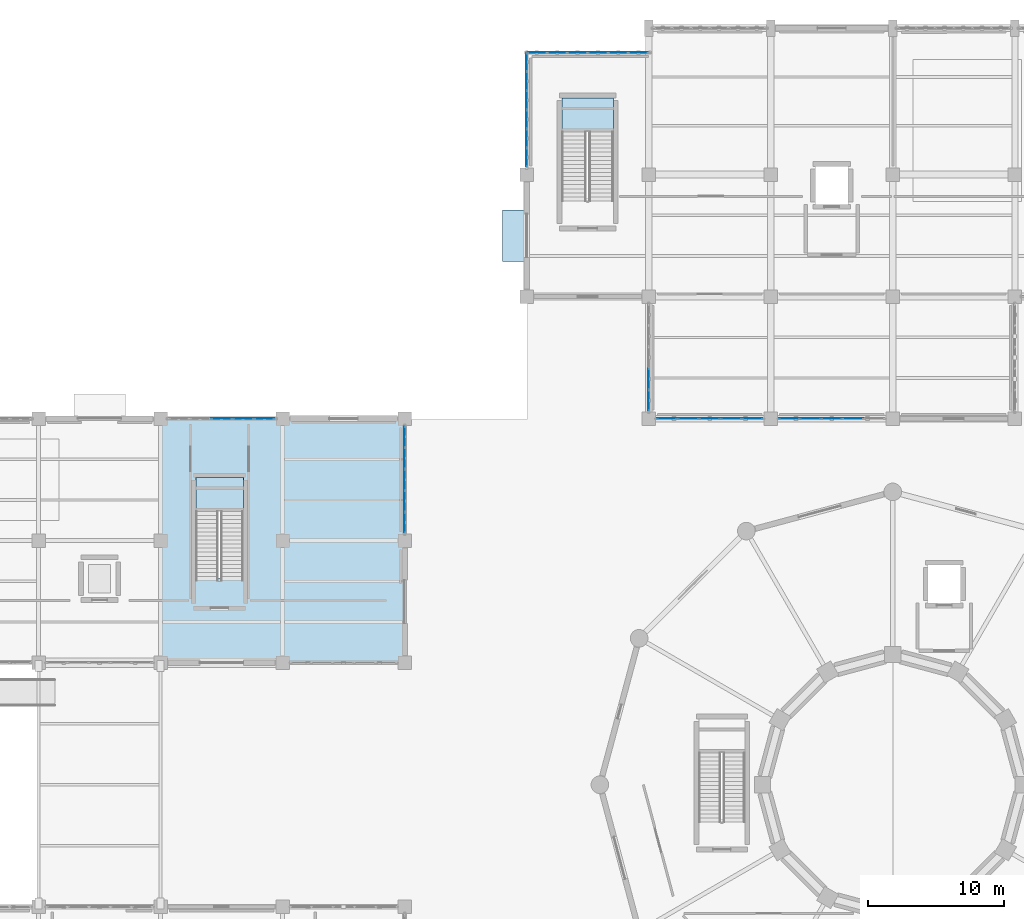
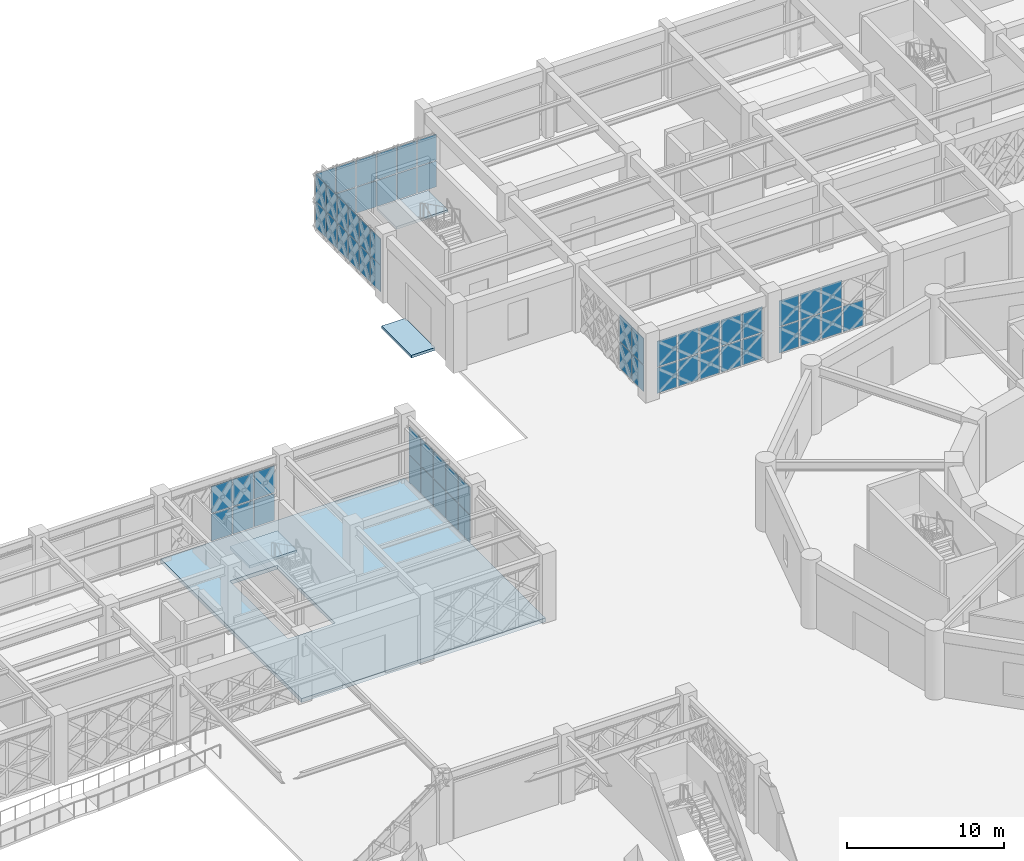
# One storey, part 107 of 140: 61 plates, 4 slabs, 9 elements without a shape of their own.
"""IFC4 building model written with IfcOpenShell, lengths in metres."""

from ifc_helpers import new_model, si_unit, direction, frame, origin, origin_2d, place, context, subcontext, project, spatial, polyline, rectangle, outline, extrude, material, layer, layer_set, type_object, element, aggregate, save


model = new_model("IFC4")

# Units and contexts
model_context = context("Model", 3, precision=1e-05, world=origin(), true_north=direction((0.0, 1.0)))
body_context = subcontext(model_context, "Body", "Model", "MODEL_VIEW")
ifc_project = project(units=[si_unit("LENGTHUNIT", "METRE"), si_unit("AREAUNIT", "SQUARE_METRE"), si_unit("VOLUMEUNIT", "CUBIC_METRE"), si_unit("PLANEANGLEUNIT", "RADIAN"), si_unit("MASSUNIT", "GRAM", prefix="KILO")], contexts=[model_context])

# Site, building, storey
site_placement = place(None, origin())
site = spatial("IfcSite", under=ifc_project, at=site_placement, CompositionType="ELEMENT")
building_placement = place(site_placement, origin())
building = spatial("IfcBuilding", under=site, at=building_placement, Name="Haizhuo Lancet Aquarium", CompositionType="ELEMENT")
storey_placement = place(building_placement, origin())
storey = spatial("IfcBuildingStorey", under=building, at=storey_placement, Name="L00", CompositionType="ELEMENT", Elevation=0.0)

# Curtain wall, plates
ifc_material_1 = material(Name="Aluminium 6063-T6", Category="aluminium")
curtain_wall_type_1 = type_object("IfcCurtainWallType", Name="CWO-7910x4220", PredefinedType="NOTDEFINED", material=ifc_material_1)
curtain_wall_1_placement = place(storey_placement, origin())
curtain_wall_1 = element("IfcCurtainWall", 1, at=curtain_wall_1_placement, inside=storey, type_object=curtain_wall_type_1, Name="L00 curtain wall CW-V5-L00-125", PredefinedType="NOTDEFINED")
ifc_material_2 = material(Name="Laminated Low-E Glass", Category="glass")
ifc_layer_1 = layer(ifc_material_2, 0.028076171875)
ifc_layer_set_1 = layer_set([ifc_layer_1], Name="Laminated Low-E Glass")
plate_type_1 = type_object("IfcPlateType", Name="CW-PNL-1", PredefinedType="CURTAIN_PANEL", material=ifc_layer_set_1)
plate_1_placement = place(storey_placement, frame((-2.91796875, 27.0, 0.075439453125), z_axis=(0.0, 0.0, 1.0), x_axis=(-1.0, 0.0, 0.0)))
plate_1 = element("IfcPlate", 2, at=plate_1_placement, type_object=plate_type_1, Name="CWO-79x42 panel 2.1", PredefinedType="CURTAIN_PANEL", context=body_context, shape_type="SweptSolid", body=[
    extrude(rectangle(XDim=1.507080078125, YDim=0.028076171875, at=origin_2d()), origin(), (0.0, 0.0, 1.0), 1.9970703125),
])
plate_2_placement = place(storey_placement, frame((-4.5, 27.0, 0.075439453125), z_axis=(0.0, 0.0, 1.0), x_axis=(-1.0, 0.0, 0.0)))
plate_2 = element("IfcPlate", 3, at=plate_2_placement, type_object=plate_type_1, Name="CWO-79x42 panel 3.1", PredefinedType="CURTAIN_PANEL", context=body_context, shape_type="SweptSolid", body=[
    extrude(rectangle(XDim=1.507080078125, YDim=0.028076171875, at=origin_2d()), origin(), (0.0, 0.0, 1.0), 1.9970703125),
])
plate_3_placement = place(storey_placement, frame((-4.5, 27.0, 2.14697265625), z_axis=(0.0, 0.0, 1.0), x_axis=(-1.0, 0.0, 0.0)))
plate_3 = element("IfcPlate", 4, at=plate_3_placement, type_object=plate_type_1, Name="CWO-79x42 panel 3.2", PredefinedType="CURTAIN_PANEL", context=body_context, shape_type="SweptSolid", body=[
    extrude(rectangle(XDim=1.507080078125, YDim=0.028076171875, at=origin_2d()), origin(), (0.0, 0.0, 1.0), 1.998046875),
])
plate_4_placement = place(storey_placement, frame((-6.08203125, 27.0, 0.075439453125), z_axis=(0.0, 0.0, 1.0), x_axis=(-1.0, 0.0, 0.0)))
plate_4 = element("IfcPlate", 5, at=plate_4_placement, type_object=plate_type_1, Name="CWO-79x42 panel 4.1", PredefinedType="CURTAIN_PANEL", context=body_context, shape_type="SweptSolid", body=[
    extrude(rectangle(XDim=1.507080078125, YDim=0.028076171875, at=origin_2d()), origin(), (0.0, 0.0, 1.0), 1.9970703125),
])
plate_5_placement = place(storey_placement, frame((-6.08203125, 27.0, 2.14697265625), z_axis=(0.0, 0.0, 1.0), x_axis=(-1.0, 0.0, 0.0)))
plate_5 = element("IfcPlate", 6, at=plate_5_placement, type_object=plate_type_1, Name="CWO-79x42 panel 4.2", PredefinedType="CURTAIN_PANEL", context=body_context, shape_type="SweptSolid", body=[
    extrude(rectangle(XDim=1.507080078125, YDim=0.028076171875, at=origin_2d()), origin(), (0.0, 0.0, 1.0), 1.998046875),
])
plate_6_placement = place(storey_placement, frame((-7.64501953125, 27.0, 0.075439453125), z_axis=(0.0, 0.0, 1.0), x_axis=(-1.0, 0.0, 0.0)))
plate_6 = element("IfcPlate", 7, at=plate_6_placement, type_object=plate_type_1, Name="CWO-79x42 panel 5.1", PredefinedType="CURTAIN_PANEL", context=body_context, shape_type="SweptSolid", body=[
    extrude(rectangle(XDim=1.469970703125, YDim=0.028076171875, at=origin_2d()), origin(), (0.0, 0.0, 1.0), 1.9970703125),
])
plate_7_placement = place(storey_placement, frame((-7.64501953125, 27.0, 2.14697265625), z_axis=(0.0, 0.0, 1.0), x_axis=(-1.0, 0.0, 0.0)))
plate_7 = element("IfcPlate", 8, at=plate_7_placement, type_object=plate_type_1, Name="CWO-79x42 panel 5.2", PredefinedType="CURTAIN_PANEL", context=body_context, shape_type="SweptSolid", body=[
    extrude(rectangle(XDim=1.469970703125, YDim=0.028076171875, at=origin_2d()), origin(), (0.0, 0.0, 1.0), 1.998046875),
])
aggregate(curtain_wall_1, [plate_1, plate_2, plate_3, plate_4, plate_5, plate_6, plate_7])

curtain_wall_2_placement = place(storey_placement, origin())
curtain_wall_2 = element("IfcCurtainWall", 9, at=curtain_wall_2_placement, inside=storey, type_object=curtain_wall_type_1, Name="L00 curtain wall CW-V5-L00-126", PredefinedType="NOTDEFINED")
ifc_layer_2 = layer(ifc_material_2, 0.033935546875)
ifc_layer_set_2 = layer_set([ifc_layer_2], Name="Laminated Low-E Glass")
plate_type_2 = type_object("IfcPlateType", Name="CW-PNL-2", PredefinedType="CURTAIN_PANEL", material=ifc_layer_set_2)
plate_8_placement = place(storey_placement, frame((-10.35595703125, 27.0, 0.080078125), z_axis=(0.0, 0.0, 1.0), x_axis=(-1.0, 0.0, 0.0)))
plate_8 = element("IfcPlate", 10, at=plate_8_placement, type_object=plate_type_2, Name="CWO-79x42 panel 1.1", PredefinedType="CURTAIN_PANEL", context=body_context, shape_type="SweptSolid", body=[
    extrude(rectangle(XDim=1.4619140625, YDim=0.033935546875, at=origin_2d()), origin(), (0.0, 0.0, 1.0), 1.989990234375),
])
plate_9_placement = place(storey_placement, frame((-10.35595703125, 27.0, 2.14990234375), z_axis=(0.0, 0.0, 1.0), x_axis=(-1.0, 0.0, 0.0)))
plate_9 = element("IfcPlate", 11, at=plate_9_placement, type_object=plate_type_2, Name="CWO-79x42 panel 1.2", PredefinedType="CURTAIN_PANEL", context=body_context, shape_type="SweptSolid", body=[
    extrude(rectangle(XDim=1.4619140625, YDim=0.033935546875, at=origin_2d()), origin(), (0.0, 0.0, 1.0), 1.989990234375),
])
plate_10_placement = place(storey_placement, frame((-11.91796875, 27.0, 0.080078125), z_axis=(0.0, 0.0, 1.0), x_axis=(-1.0, 0.0, 0.0)))
plate_10 = element("IfcPlate", 12, at=plate_10_placement, type_object=plate_type_2, Name="CWO-79x42 panel 2.1", PredefinedType="CURTAIN_PANEL", context=body_context, shape_type="SweptSolid", body=[
    extrude(rectangle(XDim=1.501953125, YDim=0.033935546875, at=origin_2d()), origin(), (0.0, 0.0, 1.0), 1.989990234375),
])
plate_11_placement = place(storey_placement, frame((-11.91796875, 27.0, 2.14990234375), z_axis=(0.0, 0.0, 1.0), x_axis=(-1.0, 0.0, 0.0)))
plate_11 = element("IfcPlate", 13, at=plate_11_placement, type_object=plate_type_2, Name="CWO-79x42 panel 2.2", PredefinedType="CURTAIN_PANEL", context=body_context, shape_type="SweptSolid", body=[
    extrude(rectangle(XDim=1.501953125, YDim=0.033935546875, at=origin_2d()), origin(), (0.0, 0.0, 1.0), 1.989990234375),
])
plate_12_placement = place(storey_placement, frame((-13.5, 27.0, 0.080078125), z_axis=(0.0, 0.0, 1.0), x_axis=(-1.0, 0.0, 0.0)))
plate_12 = element("IfcPlate", 14, at=plate_12_placement, type_object=plate_type_2, Name="CWO-79x42 panel 3.1", PredefinedType="CURTAIN_PANEL", context=body_context, shape_type="SweptSolid", body=[
    extrude(rectangle(XDim=1.501953125, YDim=0.033935546875, at=origin_2d()), origin(), (0.0, 0.0, 1.0), 1.989990234375),
])
plate_13_placement = place(storey_placement, frame((-13.5, 27.0, 2.14990234375), z_axis=(0.0, 0.0, 1.0), x_axis=(-1.0, 0.0, 0.0)))
plate_13 = element("IfcPlate", 15, at=plate_13_placement, type_object=plate_type_2, Name="CWO-79x42 panel 3.2", PredefinedType="CURTAIN_PANEL", context=body_context, shape_type="SweptSolid", body=[
    extrude(rectangle(XDim=1.501953125, YDim=0.033935546875, at=origin_2d()), origin(), (0.0, 0.0, 1.0), 1.989990234375),
])
plate_14_placement = place(storey_placement, frame((-15.08203125, 27.0, 0.080078125), z_axis=(0.0, 0.0, 1.0), x_axis=(-1.0, 0.0, 0.0)))
plate_14 = element("IfcPlate", 16, at=plate_14_placement, type_object=plate_type_2, Name="CWO-79x42 panel 4.1", PredefinedType="CURTAIN_PANEL", context=body_context, shape_type="SweptSolid", body=[
    extrude(rectangle(XDim=1.501953125, YDim=0.033935546875, at=origin_2d()), origin(), (0.0, 0.0, 1.0), 1.989990234375),
])
plate_15_placement = place(storey_placement, frame((-15.08203125, 27.0, 2.14990234375), z_axis=(0.0, 0.0, 1.0), x_axis=(-1.0, 0.0, 0.0)))
plate_15 = element("IfcPlate", 17, at=plate_15_placement, type_object=plate_type_2, Name="CWO-79x42 panel 4.2", PredefinedType="CURTAIN_PANEL", context=body_context, shape_type="SweptSolid", body=[
    extrude(rectangle(XDim=1.501953125, YDim=0.033935546875, at=origin_2d()), origin(), (0.0, 0.0, 1.0), 1.989990234375),
])
plate_16_placement = place(storey_placement, frame((-16.64404296875, 27.0, 0.080078125), z_axis=(0.0, 0.0, 1.0), x_axis=(-1.0, 0.0, 0.0)))
plate_16 = element("IfcPlate", 18, at=plate_16_placement, type_object=plate_type_2, Name="CWO-79x42 panel 5.1", PredefinedType="CURTAIN_PANEL", context=body_context, shape_type="SweptSolid", body=[
    extrude(rectangle(XDim=1.4619140625, YDim=0.033935546875, at=origin_2d()), origin(), (0.0, 0.0, 1.0), 1.989990234375),
])
plate_17_placement = place(storey_placement, frame((-16.64404296875, 27.0, 2.14990234375), z_axis=(0.0, 0.0, 1.0), x_axis=(-1.0, 0.0, 0.0)))
plate_17 = element("IfcPlate", 19, at=plate_17_placement, type_object=plate_type_2, Name="CWO-79x42 panel 5.2", PredefinedType="CURTAIN_PANEL", context=body_context, shape_type="SweptSolid", body=[
    extrude(rectangle(XDim=1.4619140625, YDim=0.033935546875, at=origin_2d()), origin(), (0.0, 0.0, 1.0), 1.989990234375),
])
aggregate(curtain_wall_2, [plate_8, plate_9, plate_10, plate_11, plate_12, plate_13, plate_14, plate_15, plate_16, plate_17])

curtain_wall_type_2 = type_object("IfcCurtainWallType", Name="CWD-7910x4420", PredefinedType="NOTDEFINED", material=ifc_material_1)
curtain_wall_3_placement = place(storey_placement, origin())
curtain_wall_3 = element("IfcCurtainWall", 20, at=curtain_wall_3_placement, inside=storey, type_object=curtain_wall_type_2, Name="L00 curtain wall CW-V2-L00-015", PredefinedType="NOTDEFINED")
ifc_layer_3 = layer(ifc_material_2, 0.0419921875)
ifc_layer_set_3 = layer_set([ifc_layer_3], Name="Laminated Low-E Glass")
plate_type_3 = type_object("IfcPlateType", Name="CW-PNL-3", PredefinedType="CURTAIN_PANEL", material=ifc_layer_set_3)
plate_18_placement = place(storey_placement, frame((-49.5, 27.0, 0.080078125), z_axis=(0.0, 0.0, 1.0), x_axis=(1.0, 0.0, 0.0)))
plate_18 = element("IfcPlate", 21, at=plate_18_placement, type_object=plate_type_3, Name="CWD-79x44 panel 3.1", PredefinedType="CURTAIN_PANEL", context=body_context, shape_type="SweptSolid", body=[
    extrude(rectangle(XDim=1.501953125, YDim=0.0419921875, at=origin_2d()), origin(), (0.0, 0.0, 1.0), 2.090087890625),
])
plate_19_placement = place(storey_placement, frame((-49.5, 27.0, 2.25), z_axis=(0.0, 0.0, 1.0), x_axis=(1.0, 0.0, 0.0)))
plate_19 = element("IfcPlate", 22, at=plate_19_placement, type_object=plate_type_3, Name="CWD-79x44 panel 3.2", PredefinedType="CURTAIN_PANEL", context=body_context, shape_type="SweptSolid", body=[
    extrude(rectangle(XDim=1.501953125, YDim=0.0419921875, at=origin_2d()), origin(), (0.0, 0.0, 1.0), 2.090087890625),
])
plate_20_placement = place(storey_placement, frame((-47.91796875, 27.0, 0.080078125), z_axis=(0.0, 0.0, 1.0), x_axis=(1.0, 0.0, 0.0)))
plate_20 = element("IfcPlate", 23, at=plate_20_placement, type_object=plate_type_3, Name="CWD-79x44 panel 4.1", PredefinedType="CURTAIN_PANEL", context=body_context, shape_type="SweptSolid", body=[
    extrude(rectangle(XDim=1.501953125, YDim=0.0419921875, at=origin_2d()), origin(), (0.0, 0.0, 1.0), 2.090087890625),
])
plate_21_placement = place(storey_placement, frame((-47.91796875, 27.0, 2.25), z_axis=(0.0, 0.0, 1.0), x_axis=(1.0, 0.0, 0.0)))
plate_21 = element("IfcPlate", 24, at=plate_21_placement, type_object=plate_type_3, Name="CWD-79x44 panel 4.2", PredefinedType="CURTAIN_PANEL", context=body_context, shape_type="SweptSolid", body=[
    extrude(rectangle(XDim=1.501953125, YDim=0.0419921875, at=origin_2d()), origin(), (0.0, 0.0, 1.0), 2.090087890625),
])
plate_22_placement = place(storey_placement, frame((-46.35595703125, 27.0, 0.080078125), z_axis=(0.0, 0.0, 1.0), x_axis=(1.0, 0.0, 0.0)))
plate_22 = element("IfcPlate", 25, at=plate_22_placement, type_object=plate_type_3, Name="CWD-79x44 panel 5.1", PredefinedType="CURTAIN_PANEL", context=body_context, shape_type="SweptSolid", body=[
    extrude(rectangle(XDim=1.4619140625, YDim=0.0419921875, at=origin_2d()), origin(), (0.0, 0.0, 1.0), 2.090087890625),
])
plate_23_placement = place(storey_placement, frame((-46.35595703125, 27.0, 2.25), z_axis=(0.0, 0.0, 1.0), x_axis=(1.0, 0.0, 0.0)))
plate_23 = element("IfcPlate", 26, at=plate_23_placement, type_object=plate_type_3, Name="CWD-79x44 panel 5.2", PredefinedType="CURTAIN_PANEL", context=body_context, shape_type="SweptSolid", body=[
    extrude(rectangle(XDim=1.4619140625, YDim=0.0419921875, at=origin_2d()), origin(), (0.0, 0.0, 1.0), 2.090087890625),
])
aggregate(curtain_wall_3, [plate_18, plate_19, plate_20, plate_21, plate_22, plate_23])

curtain_wall_type_3 = type_object("IfcCurtainWallType", Name="CWD-8460x4260", PredefinedType="NOTDEFINED", material=ifc_material_1)
curtain_wall_4_placement = place(storey_placement, origin())
curtain_wall_4 = element("IfcCurtainWall", 27, at=curtain_wall_4_placement, inside=storey, type_object=curtain_wall_type_3, Name="L00 curtain wall CW-V5-L00-115", PredefinedType="NOTDEFINED")
plate_24_placement = place(storey_placement, frame((-27.0, 46.26611328125, 0.0654296875), z_axis=(0.0, 0.0, 1.0), x_axis=(0.0, 1.0, 0.0)))
plate_24 = element("IfcPlate", 28, at=plate_24_placement, type_object=plate_type_3, Name="CWD-84x42 panel 1.1", PredefinedType="CURTAIN_PANEL", context=body_context, shape_type="SweptSolid", body=[
    extrude(rectangle(XDim=1.31201171875, YDim=0.0419921875, at=origin_2d()), origin(), (0.0, 0.0, 1.0), 2.029052734375),
])
plate_25_placement = place(storey_placement, frame((-27.0, 46.26611328125, 2.15966796875), z_axis=(0.0, 0.0, 1.0), x_axis=(0.0, 1.0, 0.0)))
plate_25 = element("IfcPlate", 29, at=plate_25_placement, type_object=plate_type_3, Name="CWD-84x42 panel 1.2", PredefinedType="CURTAIN_PANEL", context=body_context, shape_type="SweptSolid", body=[
    extrude(rectangle(XDim=1.31201171875, YDim=0.0419921875, at=origin_2d()), origin(), (0.0, 0.0, 1.0), 2.031005859375),
])
plate_26_placement = place(storey_placement, frame((-27.0, 47.658935546875, 0.0654296875), z_axis=(0.0, 0.0, 1.0), x_axis=(0.0, 1.0, 0.0)))
plate_26 = element("IfcPlate", 30, at=plate_26_placement, type_object=plate_type_3, Name="CWD-84x42 panel 2.1", PredefinedType="CURTAIN_PANEL", context=body_context, shape_type="SweptSolid", body=[
    extrude(rectangle(XDim=1.343994140625, YDim=0.0419921875, at=origin_2d()), origin(), (0.0, 0.0, 1.0), 2.029052734375),
])
plate_27_placement = place(storey_placement, frame((-27.0, 47.658935546875, 2.15966796875), z_axis=(0.0, 0.0, 1.0), x_axis=(0.0, 1.0, 0.0)))
plate_27 = element("IfcPlate", 31, at=plate_27_placement, type_object=plate_type_3, Name="CWD-84x42 panel 2.2", PredefinedType="CURTAIN_PANEL", context=body_context, shape_type="SweptSolid", body=[
    extrude(rectangle(XDim=1.343994140625, YDim=0.0419921875, at=origin_2d()), origin(), (0.0, 0.0, 1.0), 2.031005859375),
])
plate_28_placement = place(storey_placement, frame((-27.0, 49.068115234375, 0.0654296875), z_axis=(0.0, 0.0, 1.0), x_axis=(0.0, 1.0, 0.0)))
plate_28 = element("IfcPlate", 32, at=plate_28_placement, type_object=plate_type_3, Name="CWD-84x42 panel 3.1", PredefinedType="CURTAIN_PANEL", context=body_context, shape_type="SweptSolid", body=[
    extrude(rectangle(XDim=1.343994140625, YDim=0.0419921875, at=origin_2d()), origin(), (0.0, 0.0, 1.0), 2.029052734375),
])
plate_29_placement = place(storey_placement, frame((-27.0, 49.068115234375, 2.15966796875), z_axis=(0.0, 0.0, 1.0), x_axis=(0.0, 1.0, 0.0)))
plate_29 = element("IfcPlate", 33, at=plate_29_placement, type_object=plate_type_3, Name="CWD-84x42 panel 3.2", PredefinedType="CURTAIN_PANEL", context=body_context, shape_type="SweptSolid", body=[
    extrude(rectangle(XDim=1.343994140625, YDim=0.0419921875, at=origin_2d()), origin(), (0.0, 0.0, 1.0), 2.031005859375),
])
plate_30_placement = place(storey_placement, frame((-27.0, 50.47705078125, 0.0654296875), z_axis=(0.0, 0.0, 1.0), x_axis=(0.0, 1.0, 0.0)))
plate_30 = element("IfcPlate", 34, at=plate_30_placement, type_object=plate_type_3, Name="CWD-84x42 panel 4.1", PredefinedType="CURTAIN_PANEL", context=body_context, shape_type="SweptSolid", body=[
    extrude(rectangle(XDim=1.343994140625, YDim=0.0419921875, at=origin_2d()), origin(), (0.0, 0.0, 1.0), 2.029052734375),
])
plate_31_placement = place(storey_placement, frame((-27.0, 50.47705078125, 2.15966796875), z_axis=(0.0, 0.0, 1.0), x_axis=(0.0, 1.0, 0.0)))
plate_31 = element("IfcPlate", 35, at=plate_31_placement, type_object=plate_type_3, Name="CWD-84x42 panel 4.2", PredefinedType="CURTAIN_PANEL", context=body_context, shape_type="SweptSolid", body=[
    extrude(rectangle(XDim=1.343994140625, YDim=0.0419921875, at=origin_2d()), origin(), (0.0, 0.0, 1.0), 2.031005859375),
])
plate_32_placement = place(storey_placement, frame((-27.0, 51.885986328125, 0.0654296875), z_axis=(0.0, 0.0, 1.0), x_axis=(0.0, 1.0, 0.0)))
plate_32 = element("IfcPlate", 36, at=plate_32_placement, type_object=plate_type_3, Name="CWD-84x42 panel 5.1", PredefinedType="CURTAIN_PANEL", context=body_context, shape_type="SweptSolid", body=[
    extrude(rectangle(XDim=1.343994140625, YDim=0.0419921875, at=origin_2d()), origin(), (0.0, 0.0, 1.0), 2.029052734375),
])
plate_33_placement = place(storey_placement, frame((-27.0, 51.885986328125, 2.15966796875), z_axis=(0.0, 0.0, 1.0), x_axis=(0.0, 1.0, 0.0)))
plate_33 = element("IfcPlate", 37, at=plate_33_placement, type_object=plate_type_3, Name="CWD-84x42 panel 5.2", PredefinedType="CURTAIN_PANEL", context=body_context, shape_type="SweptSolid", body=[
    extrude(rectangle(XDim=1.343994140625, YDim=0.0419921875, at=origin_2d()), origin(), (0.0, 0.0, 1.0), 2.031005859375),
])
plate_34_placement = place(storey_placement, frame((-27.0, 53.279052734375, 0.0654296875), z_axis=(0.0, 0.0, 1.0), x_axis=(0.0, 1.0, 0.0)))
plate_34 = element("IfcPlate", 38, at=plate_34_placement, type_object=plate_type_3, Name="CWD-84x42 panel 6.1", PredefinedType="CURTAIN_PANEL", context=body_context, shape_type="SweptSolid", body=[
    extrude(rectangle(XDim=1.31201171875, YDim=0.0419921875, at=origin_2d()), origin(), (0.0, 0.0, 1.0), 2.029052734375),
])
plate_35_placement = place(storey_placement, frame((-27.0, 53.279052734375, 2.15966796875), z_axis=(0.0, 0.0, 1.0), x_axis=(0.0, 1.0, 0.0)))
plate_35 = element("IfcPlate", 39, at=plate_35_placement, type_object=plate_type_3, Name="CWD-84x42 panel 6.2", PredefinedType="CURTAIN_PANEL", context=body_context, shape_type="SweptSolid", body=[
    extrude(rectangle(XDim=1.31201171875, YDim=0.0419921875, at=origin_2d()), origin(), (0.0, 0.0, 1.0), 2.031005859375),
])
aggregate(curtain_wall_4, [plate_24, plate_25, plate_26, plate_27, plate_28, plate_29, plate_30, plate_31, plate_32, plate_33, plate_34, plate_35])

curtain_wall_type_4 = type_object("IfcCurtainWallType", Name="CWD-7910x4270", PredefinedType="NOTDEFINED", material=ifc_material_1)
curtain_wall_5_placement = place(storey_placement, origin())
curtain_wall_5 = element("IfcCurtainWall", 40, at=curtain_wall_5_placement, inside=storey, type_object=curtain_wall_type_4, Name="L00 curtain wall CW-V5-L00-127", PredefinedType="NOTDEFINED")
plate_36_placement = place(storey_placement, frame((-18.0, 28.35205078125, 0.0654296875), z_axis=(0.0, 0.0, 1.0), x_axis=(0.0, 1.0, 0.0)))
plate_36 = element("IfcPlate", 41, at=plate_36_placement, type_object=plate_type_3, Name="CWD-79x42 panel 1.1", PredefinedType="CURTAIN_PANEL", context=body_context, shape_type="SweptSolid", body=[
    extrude(rectangle(XDim=1.48388671875, YDim=0.0419921875, at=origin_2d()), origin(), (0.0, 0.0, 1.0), 2.037109375),
])
plate_37_placement = place(storey_placement, frame((-18.0, 28.35205078125, 2.1669921875), z_axis=(0.0, 0.0, 1.0), x_axis=(0.0, 1.0, 0.0)))
plate_37 = element("IfcPlate", 42, at=plate_37_placement, type_object=plate_type_3, Name="CWD-79x42 panel 1.2", PredefinedType="CURTAIN_PANEL", context=body_context, shape_type="SweptSolid", body=[
    extrude(rectangle(XDim=1.48388671875, YDim=0.0419921875, at=origin_2d()), origin(), (0.0, 0.0, 1.0), 2.0380859375),
])
plate_38_placement = place(storey_placement, frame((-18.0, 29.91796875, 0.0654296875), z_axis=(0.0, 0.0, 1.0), x_axis=(0.0, 1.0, 0.0)))
plate_38 = element("IfcPlate", 43, at=plate_38_placement, type_object=plate_type_3, Name="CWD-79x42 panel 2.1", PredefinedType="CURTAIN_PANEL", context=body_context, shape_type="SweptSolid", body=[
    extrude(rectangle(XDim=1.51708984375, YDim=0.0419921875, at=origin_2d()), origin(), (0.0, 0.0, 1.0), 2.037109375),
])
plate_39_placement = place(storey_placement, frame((-18.0, 29.91796875, 2.1669921875), z_axis=(0.0, 0.0, 1.0), x_axis=(0.0, 1.0, 0.0)))
plate_39 = element("IfcPlate", 44, at=plate_39_placement, type_object=plate_type_3, Name="CWD-79x42 panel 2.2", PredefinedType="CURTAIN_PANEL", context=body_context, shape_type="SweptSolid", body=[
    extrude(rectangle(XDim=1.51708984375, YDim=0.0419921875, at=origin_2d()), origin(), (0.0, 0.0, 1.0), 2.0380859375),
])
aggregate(curtain_wall_5, [plate_36, plate_37, plate_38, plate_39])

curtain_wall_6_placement = place(storey_placement, origin())
curtain_wall_6 = element("IfcCurtainWall", 45, at=curtain_wall_6_placement, inside=storey, type_object=curtain_wall_type_2, Name="L00 curtain wall CW-V2-L00-016", PredefinedType="NOTDEFINED")
ifc_layer_4 = layer(ifc_material_2, 0.052001953125)
ifc_layer_set_4 = layer_set([ifc_layer_4], Name="Laminated Low-E Glass")
plate_type_4 = type_object("IfcPlateType", Name="CW-PNL-4", PredefinedType="CURTAIN_PANEL", material=ifc_layer_set_4)
plate_40_placement = place(storey_placement, frame((-36.0, 25.64794921875, 0.06494140625), z_axis=(0.0, 0.0, 1.0), x_axis=(0.0, -1.0, 0.0)))
plate_40 = element("IfcPlate", 46, at=plate_40_placement, type_object=plate_type_4, Name="CWD-79x44 panel 1.1", PredefinedType="CURTAIN_PANEL", context=body_context, shape_type="SweptSolid", body=[
    extrude(rectangle(XDim=1.48388671875, YDim=0.052001953125, at=origin_2d()), origin(), (0.0, 0.0, 1.0), 2.112060546875),
])
plate_41_placement = place(storey_placement, frame((-36.0, 25.64794921875, 2.24267578125), z_axis=(0.0, 0.0, 1.0), x_axis=(0.0, -1.0, 0.0)))
plate_41 = element("IfcPlate", 47, at=plate_41_placement, type_object=plate_type_4, Name="CWD-79x44 panel 1.2", PredefinedType="CURTAIN_PANEL", context=body_context, shape_type="SweptSolid", body=[
    extrude(rectangle(XDim=1.48388671875, YDim=0.052001953125, at=origin_2d()), origin(), (0.0, 0.0, 1.0), 2.113037109375),
])
plate_42_placement = place(storey_placement, frame((-36.0, 24.08203125, 0.06494140625), z_axis=(0.0, 0.0, 1.0), x_axis=(0.0, -1.0, 0.0)))
plate_42 = element("IfcPlate", 48, at=plate_42_placement, type_object=plate_type_4, Name="CWD-79x44 panel 2.1", PredefinedType="CURTAIN_PANEL", context=body_context, shape_type="SweptSolid", body=[
    extrude(rectangle(XDim=1.51708984375, YDim=0.052001953125, at=origin_2d()), origin(), (0.0, 0.0, 1.0), 2.112060546875),
])
plate_43_placement = place(storey_placement, frame((-36.0, 24.08203125, 2.24267578125), z_axis=(0.0, 0.0, 1.0), x_axis=(0.0, -1.0, 0.0)))
plate_43 = element("IfcPlate", 49, at=plate_43_placement, type_object=plate_type_4, Name="CWD-79x44 panel 2.2", PredefinedType="CURTAIN_PANEL", context=body_context, shape_type="SweptSolid", body=[
    extrude(rectangle(XDim=1.51708984375, YDim=0.052001953125, at=origin_2d()), origin(), (0.0, 0.0, 1.0), 2.113037109375),
])
plate_44_placement = place(storey_placement, frame((-36.0, 22.5, 0.06494140625), z_axis=(0.0, 0.0, 1.0), x_axis=(0.0, -1.0, 0.0)))
plate_44 = element("IfcPlate", 50, at=plate_44_placement, type_object=plate_type_4, Name="CWD-79x44 panel 3.1", PredefinedType="CURTAIN_PANEL", context=body_context, shape_type="SweptSolid", body=[
    extrude(rectangle(XDim=1.51708984375, YDim=0.052001953125, at=origin_2d()), origin(), (0.0, 0.0, 1.0), 2.112060546875),
])
plate_45_placement = place(storey_placement, frame((-36.0, 22.5, 2.24267578125), z_axis=(0.0, 0.0, 1.0), x_axis=(0.0, -1.0, 0.0)))
plate_45 = element("IfcPlate", 51, at=plate_45_placement, type_object=plate_type_4, Name="CWD-79x44 panel 3.2", PredefinedType="CURTAIN_PANEL", context=body_context, shape_type="SweptSolid", body=[
    extrude(rectangle(XDim=1.51708984375, YDim=0.052001953125, at=origin_2d()), origin(), (0.0, 0.0, 1.0), 2.113037109375),
])
plate_46_placement = place(storey_placement, frame((-36.0, 20.91796875, 0.06494140625), z_axis=(0.0, 0.0, 1.0), x_axis=(0.0, -1.0, 0.0)))
plate_46 = element("IfcPlate", 52, at=plate_46_placement, type_object=plate_type_4, Name="CWD-79x44 panel 4.1", PredefinedType="CURTAIN_PANEL", context=body_context, shape_type="SweptSolid", body=[
    extrude(rectangle(XDim=1.51708984375, YDim=0.052001953125, at=origin_2d()), origin(), (0.0, 0.0, 1.0), 2.112060546875),
])
plate_47_placement = place(storey_placement, frame((-36.0, 20.91796875, 2.24267578125), z_axis=(0.0, 0.0, 1.0), x_axis=(0.0, -1.0, 0.0)))
plate_47 = element("IfcPlate", 53, at=plate_47_placement, type_object=plate_type_4, Name="CWD-79x44 panel 4.2", PredefinedType="CURTAIN_PANEL", context=body_context, shape_type="SweptSolid", body=[
    extrude(rectangle(XDim=1.51708984375, YDim=0.052001953125, at=origin_2d()), origin(), (0.0, 0.0, 1.0), 2.113037109375),
])
plate_48_placement = place(storey_placement, frame((-36.0, 19.35205078125, 0.06494140625), z_axis=(0.0, 0.0, 1.0), x_axis=(0.0, -1.0, 0.0)))
plate_48 = element("IfcPlate", 54, at=plate_48_placement, type_object=plate_type_4, Name="CWD-79x44 panel 5.1", PredefinedType="CURTAIN_PANEL", context=body_context, shape_type="SweptSolid", body=[
    extrude(rectangle(XDim=1.48388671875, YDim=0.052001953125, at=origin_2d()), origin(), (0.0, 0.0, 1.0), 2.112060546875),
])
plate_49_placement = place(storey_placement, frame((-36.0, 19.35205078125, 2.24267578125), z_axis=(0.0, 0.0, 1.0), x_axis=(0.0, -1.0, 0.0)))
plate_49 = element("IfcPlate", 55, at=plate_49_placement, type_object=plate_type_4, Name="CWD-79x44 panel 5.2", PredefinedType="CURTAIN_PANEL", context=body_context, shape_type="SweptSolid", body=[
    extrude(rectangle(XDim=1.48388671875, YDim=0.052001953125, at=origin_2d()), origin(), (0.0, 0.0, 1.0), 2.113037109375),
])
aggregate(curtain_wall_6, [plate_40, plate_41, plate_42, plate_43, plate_44, plate_45, plate_46, plate_47, plate_48, plate_49])

curtain_wall_type_5 = type_object("IfcCurtainWallType", Name="CWD-9000x4260", PredefinedType="NOTDEFINED", material=ifc_material_1)
curtain_wall_7_placement = place(storey_placement, origin())
curtain_wall_7 = element("IfcCurtainWall", 56, at=curtain_wall_7_placement, inside=storey, type_object=curtain_wall_type_5, Name="L00 curtain wall CW-V5-L00-116", PredefinedType="NOTDEFINED")
plate_50_placement = place(storey_placement, frame((-26.23095703125, 54.0, 0.0751953125), z_axis=(0.0, 0.0, 1.0), x_axis=(1.0, 0.0, 0.0)))
plate_50 = element("IfcPlate", 57, at=plate_50_placement, type_object=plate_type_4, Name="CWD-90x42 panel 1.1", PredefinedType="CURTAIN_PANEL", context=body_context, shape_type="SweptSolid", body=[
    extrude(rectangle(XDim=1.386962890625, YDim=0.052001953125, at=origin_2d()), origin(), (0.0, 0.0, 1.0), 2.013916015625),
])
plate_51_placement = place(storey_placement, frame((-26.23095703125, 54.0, 2.1640625), z_axis=(0.0, 0.0, 1.0), x_axis=(1.0, 0.0, 0.0)))
plate_51 = element("IfcPlate", 58, at=plate_51_placement, type_object=plate_type_4, Name="CWD-90x42 panel 1.2", PredefinedType="CURTAIN_PANEL", context=body_context, shape_type="SweptSolid", body=[
    extrude(rectangle(XDim=1.386962890625, YDim=0.052001953125, at=origin_2d()), origin(), (0.0, 0.0, 1.0), 2.01611328125),
])
plate_52_placement = place(storey_placement, frame((-24.75, 54.0, 0.0751953125), z_axis=(0.0, 0.0, 1.0), x_axis=(1.0, 0.0, 0.0)))
plate_52 = element("IfcPlate", 59, at=plate_52_placement, type_object=plate_type_4, Name="CWD-90x42 panel 2.1", PredefinedType="CURTAIN_PANEL", context=body_context, shape_type="SweptSolid", body=[
    extrude(rectangle(XDim=1.425048828125, YDim=0.052001953125, at=origin_2d()), origin(), (0.0, 0.0, 1.0), 2.013916015625),
])
plate_53_placement = place(storey_placement, frame((-24.75, 54.0, 2.1640625), z_axis=(0.0, 0.0, 1.0), x_axis=(1.0, 0.0, 0.0)))
plate_53 = element("IfcPlate", 60, at=plate_53_placement, type_object=plate_type_4, Name="CWD-90x42 panel 2.2", PredefinedType="CURTAIN_PANEL", context=body_context, shape_type="SweptSolid", body=[
    extrude(rectangle(XDim=1.425048828125, YDim=0.052001953125, at=origin_2d()), origin(), (0.0, 0.0, 1.0), 2.01611328125),
])
plate_54_placement = place(storey_placement, frame((-23.25, 54.0, 0.0751953125), z_axis=(0.0, 0.0, 1.0), x_axis=(1.0, 0.0, 0.0)))
plate_54 = element("IfcPlate", 61, at=plate_54_placement, type_object=plate_type_4, Name="CWD-90x42 panel 3.1", PredefinedType="CURTAIN_PANEL", context=body_context, shape_type="SweptSolid", body=[
    extrude(rectangle(XDim=1.425048828125, YDim=0.052001953125, at=origin_2d()), origin(), (0.0, 0.0, 1.0), 2.013916015625),
])
plate_55_placement = place(storey_placement, frame((-23.25, 54.0, 2.1640625), z_axis=(0.0, 0.0, 1.0), x_axis=(1.0, 0.0, 0.0)))
plate_55 = element("IfcPlate", 62, at=plate_55_placement, type_object=plate_type_4, Name="CWD-90x42 panel 3.2", PredefinedType="CURTAIN_PANEL", context=body_context, shape_type="SweptSolid", body=[
    extrude(rectangle(XDim=1.425048828125, YDim=0.052001953125, at=origin_2d()), origin(), (0.0, 0.0, 1.0), 2.01611328125),
])
plate_56_placement = place(storey_placement, frame((-21.75, 54.0, 0.0751953125), z_axis=(0.0, 0.0, 1.0), x_axis=(1.0, 0.0, 0.0)))
plate_56 = element("IfcPlate", 63, at=plate_56_placement, type_object=plate_type_4, Name="CWD-90x42 panel 4.1", PredefinedType="CURTAIN_PANEL", context=body_context, shape_type="SweptSolid", body=[
    extrude(rectangle(XDim=1.425048828125, YDim=0.052001953125, at=origin_2d()), origin(), (0.0, 0.0, 1.0), 2.013916015625),
])
plate_57_placement = place(storey_placement, frame((-21.75, 54.0, 2.1640625), z_axis=(0.0, 0.0, 1.0), x_axis=(1.0, 0.0, 0.0)))
plate_57 = element("IfcPlate", 64, at=plate_57_placement, type_object=plate_type_4, Name="CWD-90x42 panel 4.2", PredefinedType="CURTAIN_PANEL", context=body_context, shape_type="SweptSolid", body=[
    extrude(rectangle(XDim=1.425048828125, YDim=0.052001953125, at=origin_2d()), origin(), (0.0, 0.0, 1.0), 2.01611328125),
])
plate_58_placement = place(storey_placement, frame((-20.25, 54.0, 0.0751953125), z_axis=(0.0, 0.0, 1.0), x_axis=(1.0, 0.0, 0.0)))
plate_58 = element("IfcPlate", 65, at=plate_58_placement, type_object=plate_type_4, Name="CWD-90x42 panel 5.1", PredefinedType="CURTAIN_PANEL", context=body_context, shape_type="SweptSolid", body=[
    extrude(rectangle(XDim=1.425048828125, YDim=0.052001953125, at=origin_2d()), origin(), (0.0, 0.0, 1.0), 2.013916015625),
])
plate_59_placement = place(storey_placement, frame((-20.25, 54.0, 2.1640625), z_axis=(0.0, 0.0, 1.0), x_axis=(1.0, 0.0, 0.0)))
plate_59 = element("IfcPlate", 66, at=plate_59_placement, type_object=plate_type_4, Name="CWD-90x42 panel 5.2", PredefinedType="CURTAIN_PANEL", context=body_context, shape_type="SweptSolid", body=[
    extrude(rectangle(XDim=1.425048828125, YDim=0.052001953125, at=origin_2d()), origin(), (0.0, 0.0, 1.0), 2.01611328125),
])
plate_60_placement = place(storey_placement, frame((-18.76904296875, 54.0, 0.0751953125), z_axis=(0.0, 0.0, 1.0), x_axis=(1.0, 0.0, 0.0)))
plate_60 = element("IfcPlate", 67, at=plate_60_placement, type_object=plate_type_4, Name="CWD-90x42 panel 6.1", PredefinedType="CURTAIN_PANEL", context=body_context, shape_type="SweptSolid", body=[
    extrude(rectangle(XDim=1.387939453125, YDim=0.052001953125, at=origin_2d()), origin(), (0.0, 0.0, 1.0), 2.013916015625),
])
plate_61_placement = place(storey_placement, frame((-18.76904296875, 54.0, 2.1640625), z_axis=(0.0, 0.0, 1.0), x_axis=(1.0, 0.0, 0.0)))
plate_61 = element("IfcPlate", 68, at=plate_61_placement, type_object=plate_type_4, Name="CWD-90x42 panel 6.2", PredefinedType="CURTAIN_PANEL", context=body_context, shape_type="SweptSolid", body=[
    extrude(rectangle(XDim=1.387939453125, YDim=0.052001953125, at=origin_2d()), origin(), (0.0, 0.0, 1.0), 2.01611328125),
])
aggregate(curtain_wall_7, [plate_50, plate_51, plate_52, plate_53, plate_54, plate_55, plate_56, plate_57, plate_58, plate_59, plate_60, plate_61])

# Stair, slab
ifc_material_3 = material(Name="Concrete C40/50", Category="concrete")
stair_type_1 = type_object("IfcStairType", Name="STR-HT-1650-54", PredefinedType="HALF_TURN_STAIR", material=ifc_material_3)
stair_1_placement = place(storey_placement, origin())
stair_1 = element("IfcStair", 69, at=stair_1_placement, inside=storey, type_object=stair_type_1, Name="L00 enclosed exit stair ST-03", PredefinedType="HALF_TURN_STAIR")
ifc_layer_5 = layer(ifc_material_3, 0.199951171875)
ifc_layer_set_5 = layer_set([ifc_layer_5], Name="Concrete C40/50")
slab_type_1 = type_object("IfcSlabType", Name="SLB-LND-1650", PredefinedType="LANDING", material=ifc_layer_set_5)
slab_1_placement = place(storey_placement, frame((0.0, 0.0, 2.5)))
slab_1 = element("IfcSlab", 70, at=slab_1_placement, type_object=slab_type_1, Name="ST-25 landing 1", PredefinedType="LANDING", context=body_context, shape_type="SweptSolid", body=[
    extrude(outline(polyline([(-47.89990234375, 20.14990234375), (-47.89990234375, 22.64990234375), (-51.39990234375, 22.64990234375), (-51.39990234375, 20.14990234375), (-47.89990234375, 20.14990234375)])), origin(), (0.0, 0.0, 1.0), 0.199951171875),
])
aggregate(stair_1, [slab_1])

stair_type_2 = type_object("IfcStairType", Name="STR-HT-1800-54", PredefinedType="HALF_TURN_STAIR", material=ifc_material_3)
stair_2_placement = place(storey_placement, origin())
stair_2 = element("IfcStair", 71, at=stair_2_placement, inside=storey, type_object=stair_type_2, Name="L00 enclosed exit stair ST-07", PredefinedType="HALF_TURN_STAIR")
ifc_layer_6 = layer(ifc_material_3, 0.199951171875)
ifc_layer_set_6 = layer_set([ifc_layer_6], Name="Concrete C40/50")
slab_type_2 = type_object("IfcSlabType", Name="SLB-LND-1800", PredefinedType="LANDING", material=ifc_layer_set_6)
slab_2_placement = place(storey_placement, frame((0.0, 0.0, 2.5)))
slab_2 = element("IfcSlab", 72, at=slab_2_placement, type_object=slab_type_2, Name="ST-55 landing 1", PredefinedType="LANDING", context=body_context, shape_type="SweptSolid", body=[
    extrude(outline(polyline([(-20.60009765625, 48.14990234375), (-20.60009765625, 50.64990234375), (-24.39990234375, 50.64990234375), (-24.39990234375, 48.14990234375), (-20.60009765625, 48.14990234375)])), origin(), (0.0, 0.0, 1.0), 0.199951171875),
])
aggregate(stair_2, [slab_2])

# Slabs
ifc_layer_7 = layer(ifc_material_3, 0.300048828125)
ifc_layer_set_7 = layer_set([ifc_layer_7], Name="Concrete C40/50")
slab_type_3 = type_object("IfcSlabType", Name="SLB-PLINTH-300", PredefinedType="FLOOR", material=ifc_layer_set_7)
slab_3_placement = place(storey_placement, frame((0.0, 0.0, -0.300048828125)))
element("IfcSlab", 73, at=slab_3_placement, inside=storey, type_object=slab_type_3, Name="L00 structural slab SL-L00-V2-02", PredefinedType="FLOOR", context=body_context, shape_type="SweptSolid", body=[
    extrude(outline(polyline([(-36.0, 27.0), (-54.0, 27.0), (-54.0, 9.0), (-36.0, 9.0), (-36.0, 27.0)]), holes=[polyline([(-51.39990234375, 22.64990234375), (-51.39990234375, 15.22998046875), (-47.89990234375, 15.22998046875), (-47.89990234375, 22.64990234375), (-51.39990234375, 22.64990234375)])]), origin(), (0.0, 0.0, 1.0), 0.300048828125),
])
ifc_material_4 = material(Name="Shandong Grey Limestone Ashlar", Category="masonry")
slab_type_4 = type_object("IfcSlabType", Name="SLB-PV-200", PredefinedType="BASESLAB", material=ifc_material_4)
slab_4_placement = place(storey_placement, frame((0.0, 0.0, -0.199951171875)))
element("IfcSlab", 74, at=slab_4_placement, inside=storey, type_object=slab_type_4, material=ifc_material_4, Name="At-grade accessible entrance forecourt paving 2", PredefinedType="BASESLAB", context=body_context, shape_type="SweptSolid", body=[
    extrude(outline(polyline([(-27.050048828125, 42.39990234375), (-28.800048828125, 42.39990234375), (-28.800048828125, 38.60009765625), (-27.050048828125, 38.60009765625), (-27.050048828125, 42.39990234375)])), origin(), (0.0, 0.0, 1.0), 0.199951171875),
])

save(model, "model.ifc")
